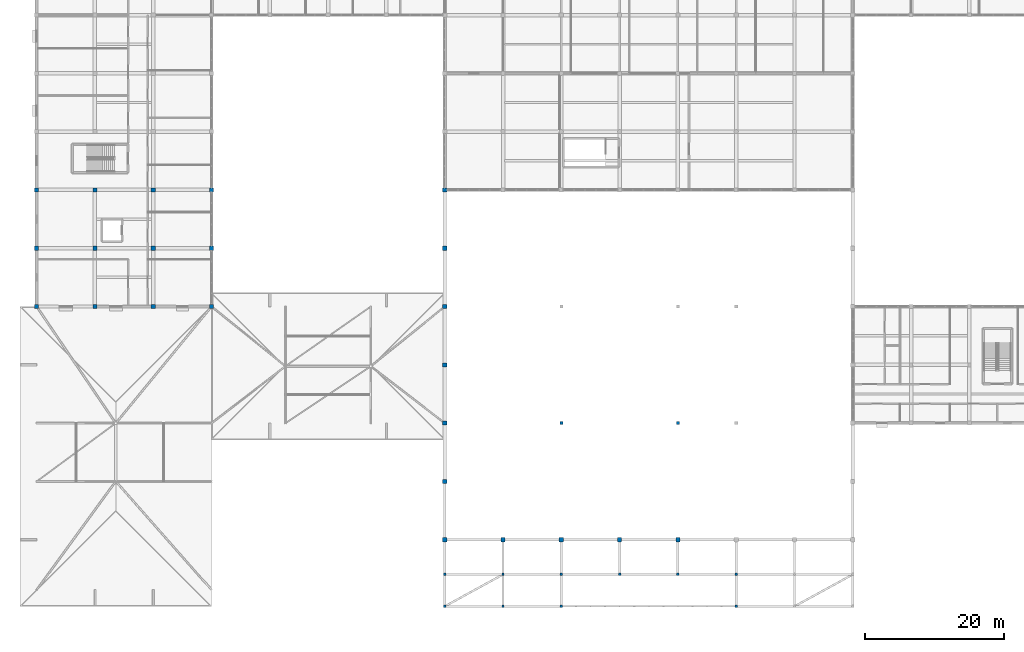
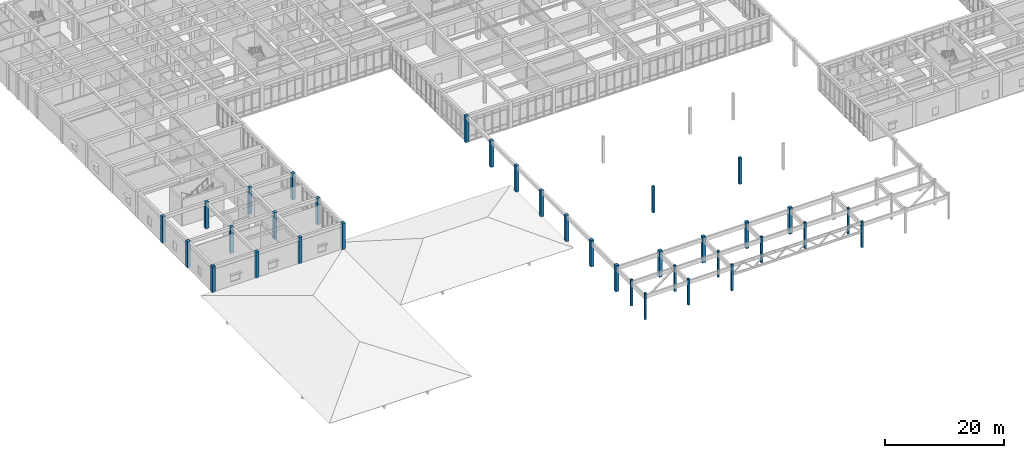
# One storey, part 1 of 89: 35 columns.
"""IFC4 building model written with IfcOpenShell, lengths in metres."""

from ifc_helpers import new_model, si_unit, direction, frame, origin, origin_2d, place, context, subcontext, project, spatial, rectangle, extrude, material, material_profile, profile_set, type_object, element, save


model = new_model("IFC4")

# Units and contexts
model_context = context("Model", 3, precision=1e-05, world=origin(), true_north=direction((0.0, 1.0)))
body_context = subcontext(model_context, "Body", "Model", "MODEL_VIEW")
ifc_project = project(units=[si_unit("LENGTHUNIT", "METRE"), si_unit("AREAUNIT", "SQUARE_METRE"), si_unit("VOLUMEUNIT", "CUBIC_METRE"), si_unit("PLANEANGLEUNIT", "RADIAN"), si_unit("MASSUNIT", "GRAM", prefix="KILO")], contexts=[model_context])

# Site, building, storey
site_placement = place(None, origin())
site = spatial("IfcSite", under=ifc_project, at=site_placement, CompositionType="ELEMENT")
building_placement = place(site_placement, origin())
building = spatial("IfcBuilding", under=site, at=building_placement, Name="Varncliffe General Hospital", CompositionType="ELEMENT")
storey_placement = place(building_placement, frame((0.0, 0.0, 10.800048828125)))
storey = spatial("IfcBuildingStorey", under=building, at=storey_placement, Name="L02", CompositionType="ELEMENT", Elevation=10.800048828125)

# Columns
ifc_material_1 = material(Name="Glulam GL28h (CSA O86 24f-EX, 30 MPa)", Category="wood")
ifc_material_profile_1 = material_profile(ifc_material_1, rectangle(XDim=0.35009765625, YDim=0.35009765625, at=origin_2d()), Name="GL 350x350")
ifc_profile_set_1 = profile_set([ifc_material_profile_1], Name="Glulam GL28h (CSA O86 24f-EX, 30 MPa)")
column_type_1 = type_object("IfcColumnType", Name="Column C12 (Ext GL 350x350)", PredefinedType="COLUMN", material=ifc_profile_set_1)
for number, where, z_axis, x_axis, name in (
    (1, (58.800048828125, -2.39990234375, 0.0), (0.0, 0.0, 1.0), (1.0, 0.0, 0.0), "L02 Column C12"),
    (2, (58.800048828125, 2.199951171875, 0.0), (0.0, 0.0, 1.0), (1.0, 0.0, 0.0), "L02 Column C12"),
    (3, (67.199951171875, -2.39990234375, 0.0), (0.0, 0.0, 1.0), (1.0, 0.0, 0.0), "L02 Column C12"),
    (4, (67.199951171875, 2.199951171875, 0.0), (0.0, 0.0, 1.0), (1.0, 0.0, 0.0), "L02 Column C12"),
    (5, (75.60009765625, -2.39990234375, 0.0), (0.0, 0.0, 1.0), (1.0, 0.0, 0.0), "L02 Column C12"),
    (6, (75.60009765625, 2.199951171875, 0.0), (0.0, 0.0, 1.0), (1.0, 0.0, 0.0), "L02 Column C12"),
    (7, (84.0, 2.199951171875, 0.0), (0.0, 0.0, 1.0), (1.0, 0.0, 0.0), "L02 Column C12"),
    (8, (92.39990234375, 2.199951171875, 0.0), (0.0, 0.0, 1.0), (1.0, 0.0, 0.0), "L02 Column C12"),
    (9, (100.800048828125, -2.39990234375, 0.0), (0.0, 0.0, 1.0), (1.0, 0.0, 0.0), "L02 Column C12"),
    (10, (100.800048828125, 2.199951171875, 0.0), (0.0, 0.0, 1.0), (1.0, 0.0, 0.0), "L02 Column C12"),
):
    element("IfcColumn", number, at=place(storey_placement, frame(where, z_axis=z_axis, x_axis=x_axis)), inside=storey, type_object=column_type_1, Name=name, PredefinedType="COLUMN", context=body_context, shape_type="SweptSolid", body=[
        extrude(rectangle(XDim=0.35009765625, YDim=0.35009765625, at=origin_2d()), origin(), (0.0, 0.0, 1.0), 5.39990234375),
    ])
ifc_material_2 = material(Name="Concrete C40/50 (CSA A23.1 40 MPa)", Category="concrete")
ifc_material_profile_2 = material_profile(ifc_material_2, rectangle(XDim=0.60009765625, YDim=0.60009765625, at=origin_2d()), Name="RC 600x600")
ifc_profile_set_2 = profile_set([ifc_material_profile_2], Name="Concrete C40/50 (CSA A23.1 40 MPa)")
column_type_2 = type_object("IfcColumnType", Name="Column C27 (Ext RC 600x600)", PredefinedType="COLUMN", material=ifc_profile_set_2)
for number, where, z_axis, x_axis, name in (
    (11, (0.0, 40.800048828125, 0.0), (0.0, 0.0, 1.0), (1.0, 0.0, 0.0), "L02 Column C27"),
    (12, (0.0, 49.199951171875, 0.0), (0.0, 0.0, 1.0), (1.0, 0.0, 0.0), "L02 Column C27"),
    (13, (0.0, 57.60009765625, 0.0), (0.0, 0.0, 1.0), (1.0, 0.0, 0.0), "L02 Column C27"),
    (14, (8.39990234375, 40.800048828125, 0.0), (0.0, 0.0, 1.0), (1.0, 0.0, 0.0), "L02 Column C27"),
    (15, (16.800048828125, 40.800048828125, 0.0), (0.0, 0.0, 1.0), (1.0, 0.0, 0.0), "L02 Column C27"),
    (16, (25.199951171875, 40.800048828125, 0.0), (0.0, 0.0, 1.0), (1.0, 0.0, 0.0), "L02 Column C27"),
    (17, (25.199951171875, 49.199951171875, 0.0), (0.0, 0.0, 1.0), (1.0, 0.0, 0.0), "L02 Column C27"),
    (18, (25.199951171875, 57.60009765625, 0.0), (0.0, 0.0, 1.0), (1.0, 0.0, 0.0), "L02 Column C27"),
    (19, (58.800048828125, 7.199951171875, 0.0), (0.0, 0.0, 1.0), (1.0, 0.0, 0.0), "L02 Column C27"),
    (20, (58.800048828125, 15.60009765625, 0.0), (0.0, 0.0, 1.0), (1.0, 0.0, 0.0), "L02 Column C27"),
    (21, (58.800048828125, 24.0, 0.0), (0.0, 0.0, 1.0), (1.0, 0.0, 0.0), "L02 Column C27"),
    (22, (58.800048828125, 32.39990234375, 0.0), (0.0, 0.0, 1.0), (1.0, 0.0, 0.0), "L02 Column C27"),
    (23, (58.800048828125, 40.800048828125, 0.0), (0.0, 0.0, 1.0), (1.0, 0.0, 0.0), "L02 Column C27"),
    (24, (58.800048828125, 49.199951171875, 0.0), (0.0, 0.0, 1.0), (1.0, 0.0, 0.0), "L02 Column C27"),
    (25, (58.800048828125, 57.60009765625, 0.0), (0.0, 0.0, 1.0), (1.0, 0.0, 0.0), "L02 Column C27"),
    (26, (67.199951171875, 7.199951171875, 0.0), (0.0, 0.0, 1.0), (1.0, 0.0, 0.0), "L02 Column C27"),
    (27, (75.60009765625, 7.199951171875, 0.0), (0.0, 0.0, 1.0), (1.0, 0.0, 0.0), "L02 Column C27"),
    (28, (84.0, 7.199951171875, 0.0), (0.0, 0.0, 1.0), (1.0, 0.0, 0.0), "L02 Column C27"),
    (29, (92.39990234375, 7.199951171875, 0.0), (0.0, 0.0, 1.0), (1.0, 0.0, 0.0), "L02 Column C27"),
):
    element("IfcColumn", number, at=place(storey_placement, frame(where, z_axis=z_axis, x_axis=x_axis)), inside=storey, type_object=column_type_2, Name=name, PredefinedType="COLUMN", context=body_context, shape_type="SweptSolid", body=[
        extrude(rectangle(XDim=0.60009765625, YDim=0.60009765625, at=origin_2d()), origin(), (0.0, 0.0, 1.0), 5.39990234375),
    ])
ifc_material_profile_3 = material_profile(ifc_material_1, rectangle(XDim=0.449951171875, YDim=0.449951171875, at=origin_2d()), Name="GL 450x450")
ifc_profile_set_3 = profile_set([ifc_material_profile_3], Name="Glulam GL28h (CSA O86 24f-EX, 30 MPa)")
column_type_3 = type_object("IfcColumnType", Name="Column C36 (Int GL 450x450)", PredefinedType="COLUMN", material=ifc_profile_set_3)
for number, where, z_axis, x_axis, name in (
    (30, (75.60009765625, 24.0, 0.0), (0.0, 0.0, 1.0), (1.0, 0.0, 0.0), "L02 Column C36"),
    (31, (92.39990234375, 24.0, 0.0), (0.0, 0.0, 1.0), (1.0, 0.0, 0.0), "L02 Column C36"),
):
    element("IfcColumn", number, at=place(storey_placement, frame(where, z_axis=z_axis, x_axis=x_axis)), inside=storey, type_object=column_type_3, Name=name, PredefinedType="COLUMN", context=body_context, shape_type="SweptSolid", body=[
        extrude(rectangle(XDim=0.449951171875, YDim=0.449951171875, at=origin_2d()), origin(), (0.0, 0.0, 1.0), 5.39990234375),
    ])
ifc_material_profile_4 = material_profile(ifc_material_2, rectangle(XDim=0.60009765625, YDim=0.60009765625, at=origin_2d()), Name="RC 600x600")
ifc_profile_set_4 = profile_set([ifc_material_profile_4], Name="Concrete C40/50 (CSA A23.1 40 MPa)")
column_type_4 = type_object("IfcColumnType", Name="Column C82 (Int RC 600x600)", PredefinedType="COLUMN", material=ifc_profile_set_4)
for number, where, z_axis, x_axis, name in (
    (32, (8.39990234375, 49.199951171875, 0.0), (0.0, 0.0, 1.0), (1.0, 0.0, 0.0), "L02 Column C82"),
    (33, (8.39990234375, 57.60009765625, 0.0), (0.0, 0.0, 1.0), (1.0, 0.0, 0.0), "L02 Column C82"),
    (34, (16.800048828125, 49.199951171875, 0.0), (0.0, 0.0, 1.0), (1.0, 0.0, 0.0), "L02 Column C82"),
    (35, (16.800048828125, 57.60009765625, 0.0), (0.0, 0.0, 1.0), (1.0, 0.0, 0.0), "L02 Column C82"),
):
    element("IfcColumn", number, at=place(storey_placement, frame(where, z_axis=z_axis, x_axis=x_axis)), inside=storey, type_object=column_type_4, Name=name, PredefinedType="COLUMN", context=body_context, shape_type="SweptSolid", body=[
        extrude(rectangle(XDim=0.60009765625, YDim=0.60009765625, at=origin_2d()), origin(), (0.0, 0.0, 1.0), 5.39990234375),
    ])

save(model, "model.ifc")
